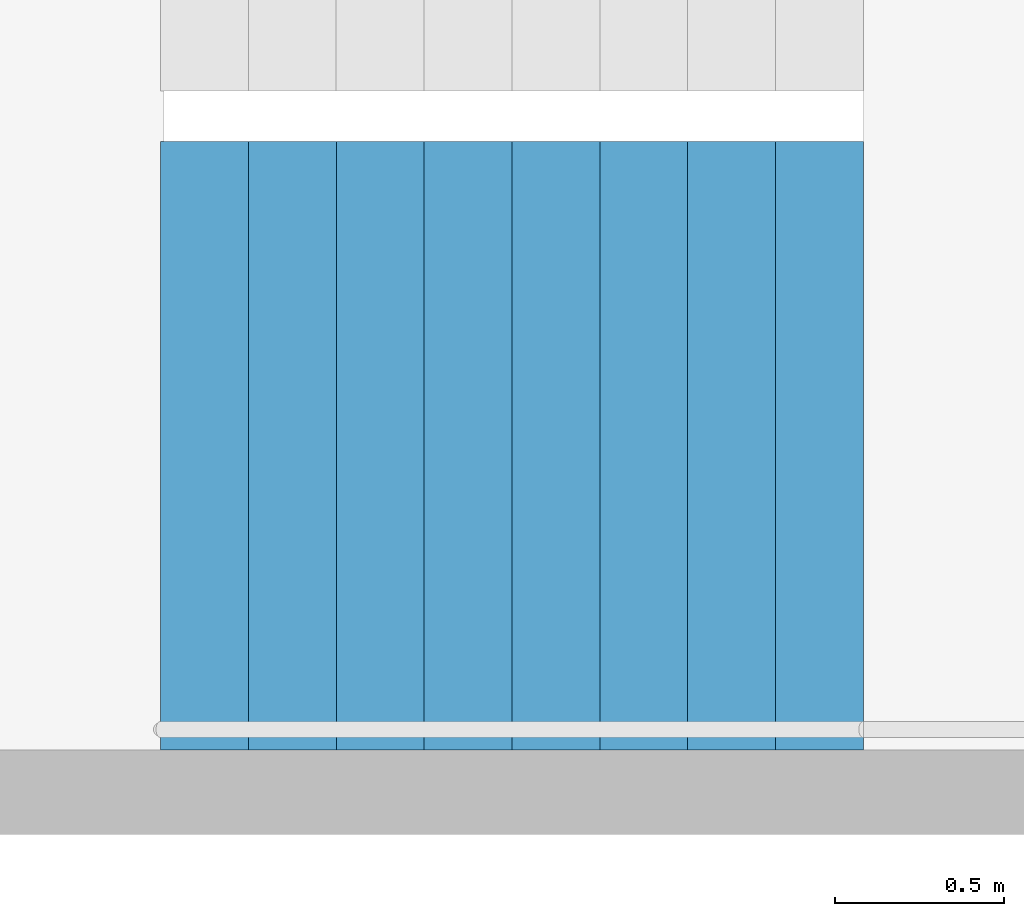
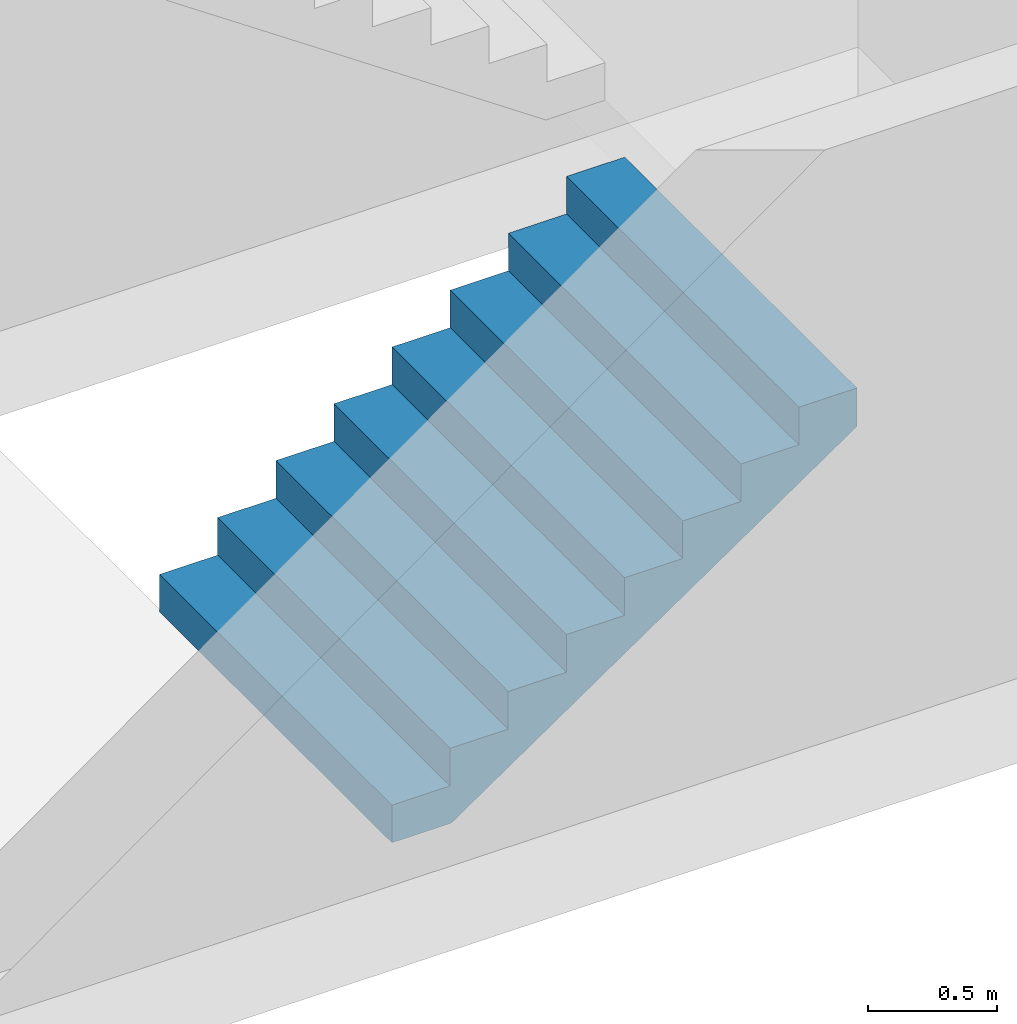
# One storey, part 23 of 29: 1 stair flight, 1 element without a shape of its own.
"""IFC4 building model written with IfcOpenShell, lengths in metres."""

from ifc_helpers import new_model, si_unit, direction, frame, origin, place, context, subcontext, project, spatial, triangles, material, type_object, element, aggregate, save


model = new_model("IFC4")

# Units and contexts
model_context = context("Model", 3, precision=1e-05, world=origin(), true_north=direction((0.0, 1.0)))
body_context = subcontext(model_context, "Body", "Model", "MODEL_VIEW")
ifc_project = project(units=[si_unit("LENGTHUNIT", "METRE"), si_unit("AREAUNIT", "SQUARE_METRE"), si_unit("VOLUMEUNIT", "CUBIC_METRE"), si_unit("PLANEANGLEUNIT", "RADIAN"), si_unit("MASSUNIT", "GRAM", prefix="KILO")], contexts=[model_context])

# Site, building, storey
site_placement = place(None, origin())
site = spatial("IfcSite", under=ifc_project, at=site_placement, CompositionType="ELEMENT")
building_placement = place(site_placement, origin())
building = spatial("IfcBuilding", under=site, at=building_placement, Name="Hakoniwa Tower and Hamabe Station Hall", CompositionType="ELEMENT")
storey_placement = place(building_placement, frame((0.0, 0.0, 97.800048828125)))
storey = spatial("IfcBuildingStorey", under=building, at=storey_placement, Name="L27", CompositionType="ELEMENT", Elevation=97.800048828125)

# Stair, stair flight
ifc_material_1 = material(Name="Concrete C40", Category="concrete")
stair_type = type_object("IfcStairType", Name="ESCAPE STAIR 1800", PredefinedType="HALF_TURN_STAIR", material=ifc_material_1)
stair_placement = place(storey_placement, origin())
stair = element("IfcStair", 1, at=stair_placement, inside=storey, type_object=stair_type, Name="Escape stair ST-1 L27", PredefinedType="HALF_TURN_STAIR")
ifc_material_2 = material(Name="Concrete C40", Category="concrete")
stair_flight_type = type_object("IfcStairFlightType", Name="STAIR FLIGHT 1800", PredefinedType="STRAIGHT", material=ifc_material_2)
stair_flight_placement = place(storey_placement, frame((-24.39990234375, 4.64990234375, 0.0), z_axis=(0.0, 0.0, 1.0), x_axis=(1.0, 0.0, 0.0)))
stair_flight = element("IfcStairFlight", 2, at=stair_flight_placement, type_object=stair_flight_type, Name="ST-1 flight 1", NumberOfRisers=9, NumberOfTreads=8, PredefinedType="STRAIGHT", RiserHeight=0.177777778, TreadLength=0.26, context=body_context, shape_type="Tessellation", body=[
    triangles([(0.0, 0.89990234375, 0.0), (0.260009765625, 0.89990234375, 0.0), (0.265625, 0.89990234375, 0.0), (0.52001953125, 0.89990234375, 0.174072265625), (0.780029296875, 0.89990234375, 0.351806640625), (1.0400390625, 0.89990234375, 0.529541015625), (1.300048828125, 0.89990234375, 0.707275390625), (1.56005859375, 0.89990234375, 0.885009765625), (1.820068359375, 0.89990234375, 1.062744140625), (2.080078125, 0.89990234375, 1.24072265625), (2.080078125, 0.89990234375, 1.422119140625), (1.820068359375, 0.89990234375, 1.422119140625), (1.820068359375, 0.89990234375, 1.244384765625), (1.56005859375, 0.89990234375, 1.244384765625), (1.56005859375, 0.89990234375, 1.066650390625), (1.300048828125, 0.89990234375, 1.066650390625), (1.300048828125, 0.89990234375, 0.888916015625), (1.0400390625, 0.89990234375, 0.888916015625), (1.0400390625, 0.89990234375, 0.711181640625), (0.780029296875, 0.89990234375, 0.711181640625), (0.780029296875, 0.89990234375, 0.533447265625), (0.52001953125, 0.89990234375, 0.533447265625), (0.52001953125, 0.89990234375, 0.35546875), (0.265625, 0.89990234375, 0.35546875), (0.260009765625, 0.89990234375, 0.35546875), (0.260009765625, 0.89990234375, 0.177734375), (0.0, 0.89990234375, 0.177734375), (0.0, 0.06005859375, 0.0), (0.260009765625, 0.06005859375, 0.0), (0.265625, 0.06005859375, 0.0), (0.52001953125, 0.06005859375, 0.174072265625), (0.780029296875, 0.06005859375, 0.351806640625), (1.0400390625, 0.06005859375, 0.529541015625), (1.300048828125, 0.06005859375, 0.707275390625), (1.56005859375, 0.06005859375, 0.885009765625), (1.820068359375, 0.06005859375, 1.062744140625), (2.080078125, 0.06005859375, 1.24072265625), (2.080078125, 0.06005859375, 1.422119140625), (1.820068359375, 0.06005859375, 1.422119140625), (1.820068359375, 0.06005859375, 1.244384765625), (1.56005859375, 0.06005859375, 1.244384765625), (1.56005859375, 0.06005859375, 1.066650390625), (1.300048828125, 0.06005859375, 1.066650390625), (1.300048828125, 0.06005859375, 0.888916015625), (1.0400390625, 0.06005859375, 0.888916015625), (1.0400390625, 0.06005859375, 0.711181640625), (0.780029296875, 0.06005859375, 0.711181640625), (0.780029296875, 0.06005859375, 0.533447265625), (0.52001953125, 0.06005859375, 0.533447265625), (0.52001953125, 0.06005859375, 0.35546875), (0.265625, 0.06005859375, 0.35546875), (0.260009765625, 0.06005859375, 0.35546875), (0.260009765625, 0.06005859375, 0.177734375), (0.0, 0.06005859375, 0.177734375), (0.0, 0.04296875, 0.0), (0.260009765625, 0.04296875, 0.0), (0.265625, 0.04296875, 0.0), (0.52001953125, 0.04296875, 0.174072265625), (0.780029296875, 0.04296875, 0.351806640625), (1.0400390625, 0.04296875, 0.529541015625), (1.300048828125, 0.04296875, 0.707275390625), (1.56005859375, 0.04296875, 0.885009765625), (1.820068359375, 0.04296875, 1.062744140625), (2.080078125, 0.04296875, 1.24072265625), (2.080078125, 0.04296875, 1.422119140625), (1.820068359375, 0.04296875, 1.422119140625), (1.820068359375, 0.04296875, 1.244384765625), (1.56005859375, 0.04296875, 1.244384765625), (1.56005859375, 0.04296875, 1.066650390625), (1.300048828125, 0.04296875, 1.066650390625), (1.300048828125, 0.04296875, 0.888916015625), (1.0400390625, 0.04296875, 0.888916015625), (1.0400390625, 0.04296875, 0.711181640625), (0.780029296875, 0.04296875, 0.711181640625), (0.780029296875, 0.04296875, 0.533447265625), (0.52001953125, 0.04296875, 0.533447265625), (0.52001953125, 0.04296875, 0.35546875), (0.265625, 0.04296875, 0.35546875), (0.260009765625, 0.04296875, 0.35546875), (0.260009765625, 0.04296875, 0.177734375), (0.0, 0.04296875, 0.177734375), (0.0, 0.025634765625, 0.0), (0.260009765625, 0.025634765625, 0.0), (0.265625, 0.025634765625, 0.0), (0.52001953125, 0.025634765625, 0.174072265625), (0.780029296875, 0.025634765625, 0.351806640625), (1.0400390625, 0.025634765625, 0.529541015625), (1.300048828125, 0.025634765625, 0.707275390625), (1.56005859375, 0.025634765625, 0.885009765625), (1.820068359375, 0.025634765625, 1.062744140625), (2.080078125, 0.025634765625, 1.24072265625), (2.080078125, 0.025634765625, 1.422119140625), (1.820068359375, 0.025634765625, 1.422119140625), (1.820068359375, 0.025634765625, 1.244384765625), (1.56005859375, 0.025634765625, 1.244384765625), (1.56005859375, 0.025634765625, 1.066650390625), (1.300048828125, 0.025634765625, 1.066650390625), (1.300048828125, 0.025634765625, 0.888916015625), (1.0400390625, 0.025634765625, 0.888916015625), (1.0400390625, 0.025634765625, 0.711181640625), (0.780029296875, 0.025634765625, 0.711181640625), (0.780029296875, 0.025634765625, 0.533447265625), (0.52001953125, 0.025634765625, 0.533447265625), (0.52001953125, 0.025634765625, 0.35546875), (0.265625, 0.025634765625, 0.35546875), (0.260009765625, 0.025634765625, 0.35546875), (0.260009765625, 0.025634765625, 0.177734375), (0.0, 0.025634765625, 0.177734375), (0.0, 0.008544921875, 0.0), (0.260009765625, 0.008544921875, 0.0), (0.265625, 0.008544921875, 0.0), (0.52001953125, 0.008544921875, 0.174072265625), (0.780029296875, 0.008544921875, 0.351806640625), (1.0400390625, 0.008544921875, 0.529541015625), (1.300048828125, 0.008544921875, 0.707275390625), (1.56005859375, 0.008544921875, 0.885009765625), (1.820068359375, 0.008544921875, 1.062744140625), (2.080078125, 0.008544921875, 1.24072265625), (2.080078125, 0.008544921875, 1.422119140625), (1.820068359375, 0.008544921875, 1.422119140625), (1.820068359375, 0.008544921875, 1.244384765625), (1.56005859375, 0.008544921875, 1.244384765625), (1.56005859375, 0.008544921875, 1.066650390625), (1.300048828125, 0.008544921875, 1.066650390625), (1.300048828125, 0.008544921875, 0.888916015625), (1.0400390625, 0.008544921875, 0.888916015625), (1.0400390625, 0.008544921875, 0.711181640625), (0.780029296875, 0.008544921875, 0.711181640625), (0.780029296875, 0.008544921875, 0.533447265625), (0.52001953125, 0.008544921875, 0.533447265625), (0.52001953125, 0.008544921875, 0.35546875), (0.265625, 0.008544921875, 0.35546875), (0.260009765625, 0.008544921875, 0.35546875), (0.260009765625, 0.008544921875, 0.177734375), (0.0, 0.008544921875, 0.177734375), (0.0, -0.008544921875, 0.0), (0.260009765625, -0.008544921875, 0.0), (0.265625, -0.008544921875, 0.0), (0.52001953125, -0.008544921875, 0.174072265625), (0.780029296875, -0.008544921875, 0.351806640625), (1.0400390625, -0.008544921875, 0.529541015625), (1.300048828125, -0.008544921875, 0.707275390625), (1.56005859375, -0.008544921875, 0.885009765625), (1.820068359375, -0.008544921875, 1.062744140625), (2.080078125, -0.008544921875, 1.24072265625), (2.080078125, -0.008544921875, 1.422119140625), (1.820068359375, -0.008544921875, 1.422119140625), (1.820068359375, -0.008544921875, 1.244384765625), (1.56005859375, -0.008544921875, 1.244384765625), (1.56005859375, -0.008544921875, 1.066650390625), (1.300048828125, -0.008544921875, 1.066650390625), (1.300048828125, -0.008544921875, 0.888916015625), (1.0400390625, -0.008544921875, 0.888916015625), (1.0400390625, -0.008544921875, 0.711181640625), (0.780029296875, -0.008544921875, 0.711181640625), (0.780029296875, -0.008544921875, 0.533447265625), (0.52001953125, -0.008544921875, 0.533447265625), (0.52001953125, -0.008544921875, 0.35546875), (0.265625, -0.008544921875, 0.35546875), (0.260009765625, -0.008544921875, 0.35546875), (0.260009765625, -0.008544921875, 0.177734375), (0.0, -0.008544921875, 0.177734375), (0.0, -0.025634765625, 0.0), (0.260009765625, -0.025634765625, 0.0), (0.265625, -0.025634765625, 0.0), (0.52001953125, -0.025634765625, 0.174072265625), (0.780029296875, -0.025634765625, 0.351806640625), (1.0400390625, -0.025634765625, 0.529541015625), (1.300048828125, -0.025634765625, 0.707275390625), (1.56005859375, -0.025634765625, 0.885009765625), (1.820068359375, -0.025634765625, 1.062744140625), (2.080078125, -0.025634765625, 1.24072265625), (2.080078125, -0.025634765625, 1.422119140625), (1.820068359375, -0.025634765625, 1.422119140625), (1.820068359375, -0.025634765625, 1.244384765625), (1.56005859375, -0.025634765625, 1.244384765625), (1.56005859375, -0.025634765625, 1.066650390625), (1.300048828125, -0.025634765625, 1.066650390625), (1.300048828125, -0.025634765625, 0.888916015625), (1.0400390625, -0.025634765625, 0.888916015625), (1.0400390625, -0.025634765625, 0.711181640625), (0.780029296875, -0.025634765625, 0.711181640625), (0.780029296875, -0.025634765625, 0.533447265625), (0.52001953125, -0.025634765625, 0.533447265625), (0.52001953125, -0.025634765625, 0.35546875), (0.265625, -0.025634765625, 0.35546875), (0.260009765625, -0.025634765625, 0.35546875), (0.260009765625, -0.025634765625, 0.177734375), (0.0, -0.025634765625, 0.177734375), (0.0, -0.04296875, 0.0), (0.260009765625, -0.04296875, 0.0), (0.265625, -0.04296875, 0.0), (0.52001953125, -0.04296875, 0.174072265625), (0.780029296875, -0.04296875, 0.351806640625), (1.0400390625, -0.04296875, 0.529541015625), (1.300048828125, -0.04296875, 0.707275390625), (1.56005859375, -0.04296875, 0.885009765625), (1.820068359375, -0.04296875, 1.062744140625), (2.080078125, -0.04296875, 1.24072265625), (2.080078125, -0.04296875, 1.422119140625), (1.820068359375, -0.04296875, 1.422119140625), (1.820068359375, -0.04296875, 1.244384765625), (1.56005859375, -0.04296875, 1.244384765625), (1.56005859375, -0.04296875, 1.066650390625), (1.300048828125, -0.04296875, 1.066650390625), (1.300048828125, -0.04296875, 0.888916015625), (1.0400390625, -0.04296875, 0.888916015625), (1.0400390625, -0.04296875, 0.711181640625), (0.780029296875, -0.04296875, 0.711181640625), (0.780029296875, -0.04296875, 0.533447265625), (0.52001953125, -0.04296875, 0.533447265625), (0.52001953125, -0.04296875, 0.35546875), (0.265625, -0.04296875, 0.35546875), (0.260009765625, -0.04296875, 0.35546875), (0.260009765625, -0.04296875, 0.177734375), (0.0, -0.04296875, 0.177734375), (0.0, -0.06005859375, 0.0), (0.260009765625, -0.06005859375, 0.0), (0.265625, -0.06005859375, 0.0), (0.52001953125, -0.06005859375, 0.174072265625), (0.780029296875, -0.06005859375, 0.351806640625), (1.0400390625, -0.06005859375, 0.529541015625), (1.300048828125, -0.06005859375, 0.707275390625), (1.56005859375, -0.06005859375, 0.885009765625), (1.820068359375, -0.06005859375, 1.062744140625), (2.080078125, -0.06005859375, 1.24072265625), (2.080078125, -0.06005859375, 1.422119140625), (1.820068359375, -0.06005859375, 1.422119140625), (1.820068359375, -0.06005859375, 1.244384765625), (1.56005859375, -0.06005859375, 1.244384765625), (1.56005859375, -0.06005859375, 1.066650390625), (1.300048828125, -0.06005859375, 1.066650390625), (1.300048828125, -0.06005859375, 0.888916015625), (1.0400390625, -0.06005859375, 0.888916015625), (1.0400390625, -0.06005859375, 0.711181640625), (0.780029296875, -0.06005859375, 0.711181640625), (0.780029296875, -0.06005859375, 0.533447265625), (0.52001953125, -0.06005859375, 0.533447265625), (0.52001953125, -0.06005859375, 0.35546875), (0.265625, -0.06005859375, 0.35546875), (0.260009765625, -0.06005859375, 0.35546875), (0.260009765625, -0.06005859375, 0.177734375), (0.0, -0.06005859375, 0.177734375), (0.0, -0.89990234375, 0.0), (0.260009765625, -0.89990234375, 0.0), (0.265625, -0.89990234375, 0.0), (0.52001953125, -0.89990234375, 0.174072265625), (0.780029296875, -0.89990234375, 0.351806640625), (1.0400390625, -0.89990234375, 0.529541015625), (1.300048828125, -0.89990234375, 0.707275390625), (1.56005859375, -0.89990234375, 0.885009765625), (1.820068359375, -0.89990234375, 1.062744140625), (2.080078125, -0.89990234375, 1.24072265625), (2.080078125, -0.89990234375, 1.422119140625), (1.820068359375, -0.89990234375, 1.422119140625), (1.820068359375, -0.89990234375, 1.244384765625), (1.56005859375, -0.89990234375, 1.244384765625), (1.56005859375, -0.89990234375, 1.066650390625), (1.300048828125, -0.89990234375, 1.066650390625), (1.300048828125, -0.89990234375, 0.888916015625), (1.0400390625, -0.89990234375, 0.888916015625), (1.0400390625, -0.89990234375, 0.711181640625), (0.780029296875, -0.89990234375, 0.711181640625), (0.780029296875, -0.89990234375, 0.533447265625), (0.52001953125, -0.89990234375, 0.533447265625), (0.52001953125, -0.89990234375, 0.35546875), (0.265625, -0.89990234375, 0.35546875), (0.260009765625, -0.89990234375, 0.35546875), (0.260009765625, -0.89990234375, 0.177734375), (0.0, -0.89990234375, 0.177734375)], [[2, 27, 26], [245, 269, 270], [2, 1, 27], [245, 270, 244], [3, 25, 24], [246, 267, 268], [3, 26, 25], [246, 268, 269], [3, 2, 26], [246, 269, 245], [4, 24, 23], [247, 266, 267], [4, 3, 24], [247, 267, 246], [5, 22, 21], [248, 264, 265], [5, 23, 22], [248, 265, 266], [5, 4, 23], [248, 266, 247], [6, 20, 19], [249, 262, 263], [6, 21, 20], [249, 263, 264], [6, 5, 21], [249, 264, 248], [7, 18, 17], [250, 260, 261], [7, 19, 18], [250, 261, 262], [7, 6, 19], [250, 262, 249], [8, 16, 15], [251, 258, 259], [8, 17, 16], [251, 259, 260], [8, 7, 17], [251, 260, 250], [9, 14, 13], [252, 256, 257], [9, 15, 14], [252, 257, 258], [9, 8, 15], [252, 258, 251], [10, 12, 11], [253, 254, 255], [10, 13, 12], [253, 255, 256], [10, 9, 13], [253, 256, 252], [1, 2, 29], [1, 29, 28], [28, 29, 56], [28, 56, 55], [55, 56, 83], [55, 83, 82], [82, 83, 110], [82, 110, 109], [109, 110, 137], [109, 137, 136], [136, 137, 164], [136, 164, 163], [163, 164, 191], [163, 191, 190], [190, 191, 218], [190, 218, 217], [217, 218, 245], [217, 245, 244], [2, 3, 30], [2, 30, 29], [29, 30, 57], [29, 57, 56], [56, 57, 84], [56, 84, 83], [83, 84, 111], [83, 111, 110], [110, 111, 138], [110, 138, 137], [137, 138, 165], [137, 165, 164], [164, 165, 192], [164, 192, 191], [191, 192, 219], [191, 219, 218], [218, 219, 246], [218, 246, 245], [3, 4, 31], [3, 31, 30], [30, 31, 58], [30, 58, 57], [57, 58, 85], [57, 85, 84], [84, 85, 112], [84, 112, 111], [111, 112, 139], [111, 139, 138], [138, 139, 166], [138, 166, 165], [165, 166, 193], [165, 193, 192], [192, 193, 220], [192, 220, 219], [219, 220, 247], [219, 247, 246], [4, 5, 32], [4, 32, 31], [31, 32, 59], [31, 59, 58], [58, 59, 86], [58, 86, 85], [85, 86, 113], [85, 113, 112], [112, 113, 140], [112, 140, 139], [139, 140, 167], [139, 167, 166], [166, 167, 194], [166, 194, 193], [193, 194, 221], [193, 221, 220], [220, 221, 248], [220, 248, 247], [5, 6, 33], [5, 33, 32], [32, 33, 60], [32, 60, 59], [59, 60, 87], [59, 87, 86], [86, 87, 114], [86, 114, 113], [113, 114, 141], [113, 141, 140], [140, 141, 168], [140, 168, 167], [167, 168, 195], [167, 195, 194], [194, 195, 222], [194, 222, 221], [221, 222, 249], [221, 249, 248], [6, 7, 34], [6, 34, 33], [33, 34, 61], [33, 61, 60], [60, 61, 88], [60, 88, 87], [87, 88, 115], [87, 115, 114], [114, 115, 142], [114, 142, 141], [141, 142, 169], [141, 169, 168], [168, 169, 196], [168, 196, 195], [195, 196, 223], [195, 223, 222], [222, 223, 250], [222, 250, 249], [7, 8, 35], [7, 35, 34], [34, 35, 62], [34, 62, 61], [61, 62, 89], [61, 89, 88], [88, 89, 116], [88, 116, 115], [115, 116, 143], [115, 143, 142], [142, 143, 170], [142, 170, 169], [169, 170, 197], [169, 197, 196], [196, 197, 224], [196, 224, 223], [223, 224, 251], [223, 251, 250], [8, 9, 36], [8, 36, 35], [35, 36, 63], [35, 63, 62], [62, 63, 90], [62, 90, 89], [89, 90, 117], [89, 117, 116], [116, 117, 144], [116, 144, 143], [143, 144, 171], [143, 171, 170], [170, 171, 198], [170, 198, 197], [197, 198, 225], [197, 225, 224], [224, 225, 252], [224, 252, 251], [9, 10, 37], [9, 37, 36], [36, 37, 64], [36, 64, 63], [63, 64, 91], [63, 91, 90], [90, 91, 118], [90, 118, 117], [117, 118, 145], [117, 145, 144], [144, 145, 172], [144, 172, 171], [171, 172, 199], [171, 199, 198], [198, 199, 226], [198, 226, 225], [225, 226, 253], [225, 253, 252], [10, 11, 38], [10, 38, 37], [37, 38, 65], [37, 65, 64], [64, 65, 92], [64, 92, 91], [91, 92, 119], [91, 119, 118], [118, 119, 146], [118, 146, 145], [145, 146, 173], [145, 173, 172], [172, 173, 200], [172, 200, 199], [199, 200, 227], [199, 227, 226], [226, 227, 254], [226, 254, 253], [11, 12, 39], [11, 39, 38], [38, 39, 66], [38, 66, 65], [65, 66, 93], [65, 93, 92], [92, 93, 120], [92, 120, 119], [119, 120, 147], [119, 147, 146], [146, 147, 174], [146, 174, 173], [173, 174, 201], [173, 201, 200], [200, 201, 228], [200, 228, 227], [227, 228, 255], [227, 255, 254], [12, 13, 40], [12, 40, 39], [39, 40, 67], [39, 67, 66], [66, 67, 94], [66, 94, 93], [93, 94, 121], [93, 121, 120], [120, 121, 148], [120, 148, 147], [147, 148, 175], [147, 175, 174], [174, 175, 202], [174, 202, 201], [201, 202, 229], [201, 229, 228], [228, 229, 256], [228, 256, 255], [13, 14, 41], [13, 41, 40], [40, 41, 68], [40, 68, 67], [67, 68, 95], [67, 95, 94], [94, 95, 122], [94, 122, 121], [121, 122, 149], [121, 149, 148], [148, 149, 176], [148, 176, 175], [175, 176, 203], [175, 203, 202], [202, 203, 230], [202, 230, 229], [229, 230, 257], [229, 257, 256], [14, 15, 42], [14, 42, 41], [41, 42, 69], [41, 69, 68], [68, 69, 96], [68, 96, 95], [95, 96, 123], [95, 123, 122], [122, 123, 150], [122, 150, 149], [149, 150, 177], [149, 177, 176], [176, 177, 204], [176, 204, 203], [203, 204, 231], [203, 231, 230], [230, 231, 258], [230, 258, 257], [15, 16, 43], [15, 43, 42], [42, 43, 70], [42, 70, 69], [69, 70, 97], [69, 97, 96], [96, 97, 124], [96, 124, 123], [123, 124, 151], [123, 151, 150], [150, 151, 178], [150, 178, 177], [177, 178, 205], [177, 205, 204], [204, 205, 232], [204, 232, 231], [231, 232, 259], [231, 259, 258], [16, 17, 44], [16, 44, 43], [43, 44, 71], [43, 71, 70], [70, 71, 98], [70, 98, 97], [97, 98, 125], [97, 125, 124], [124, 125, 152], [124, 152, 151], [151, 152, 179], [151, 179, 178], [178, 179, 206], [178, 206, 205], [205, 206, 233], [205, 233, 232], [232, 233, 260], [232, 260, 259], [17, 18, 45], [17, 45, 44], [44, 45, 72], [44, 72, 71], [71, 72, 99], [71, 99, 98], [98, 99, 126], [98, 126, 125], [125, 126, 153], [125, 153, 152], [152, 153, 180], [152, 180, 179], [179, 180, 207], [179, 207, 206], [206, 207, 234], [206, 234, 233], [233, 234, 261], [233, 261, 260], [18, 19, 46], [18, 46, 45], [45, 46, 73], [45, 73, 72], [72, 73, 100], [72, 100, 99], [99, 100, 127], [99, 127, 126], [126, 127, 154], [126, 154, 153], [153, 154, 181], [153, 181, 180], [180, 181, 208], [180, 208, 207], [207, 208, 235], [207, 235, 234], [234, 235, 262], [234, 262, 261], [19, 20, 47], [19, 47, 46], [46, 47, 74], [46, 74, 73], [73, 74, 101], [73, 101, 100], [100, 101, 128], [100, 128, 127], [127, 128, 155], [127, 155, 154], [154, 155, 182], [154, 182, 181], [181, 182, 209], [181, 209, 208], [208, 209, 236], [208, 236, 235], [235, 236, 263], [235, 263, 262], [20, 21, 48], [20, 48, 47], [47, 48, 75], [47, 75, 74], [74, 75, 102], [74, 102, 101], [101, 102, 129], [101, 129, 128], [128, 129, 156], [128, 156, 155], [155, 156, 183], [155, 183, 182], [182, 183, 210], [182, 210, 209], [209, 210, 237], [209, 237, 236], [236, 237, 264], [236, 264, 263], [21, 22, 49], [21, 49, 48], [48, 49, 76], [48, 76, 75], [75, 76, 103], [75, 103, 102], [102, 103, 130], [102, 130, 129], [129, 130, 157], [129, 157, 156], [156, 157, 184], [156, 184, 183], [183, 184, 211], [183, 211, 210], [210, 211, 238], [210, 238, 237], [237, 238, 265], [237, 265, 264], [22, 23, 50], [22, 50, 49], [49, 50, 77], [49, 77, 76], [76, 77, 104], [76, 104, 103], [103, 104, 131], [103, 131, 130], [130, 131, 158], [130, 158, 157], [157, 158, 185], [157, 185, 184], [184, 185, 212], [184, 212, 211], [211, 212, 239], [211, 239, 238], [238, 239, 266], [238, 266, 265], [23, 24, 51], [23, 51, 50], [50, 51, 78], [50, 78, 77], [77, 78, 105], [77, 105, 104], [104, 105, 132], [104, 132, 131], [131, 132, 159], [131, 159, 158], [158, 159, 186], [158, 186, 185], [185, 186, 213], [185, 213, 212], [212, 213, 240], [212, 240, 239], [239, 240, 267], [239, 267, 266], [24, 25, 52], [24, 52, 51], [51, 52, 79], [51, 79, 78], [78, 79, 106], [78, 106, 105], [105, 106, 133], [105, 133, 132], [132, 133, 160], [132, 160, 159], [159, 160, 187], [159, 187, 186], [186, 187, 214], [186, 214, 213], [213, 214, 241], [213, 241, 240], [240, 241, 268], [240, 268, 267], [25, 26, 53], [25, 53, 52], [52, 53, 80], [52, 80, 79], [79, 80, 107], [79, 107, 106], [106, 107, 134], [106, 134, 133], [133, 134, 161], [133, 161, 160], [160, 161, 188], [160, 188, 187], [187, 188, 215], [187, 215, 214], [214, 215, 242], [214, 242, 241], [241, 242, 269], [241, 269, 268], [26, 27, 54], [26, 54, 53], [53, 54, 81], [53, 81, 80], [80, 81, 108], [80, 108, 107], [107, 108, 135], [107, 135, 134], [134, 135, 162], [134, 162, 161], [161, 162, 189], [161, 189, 188], [188, 189, 216], [188, 216, 215], [215, 216, 243], [215, 243, 242], [242, 243, 270], [242, 270, 269], [27, 1, 28], [27, 28, 54], [54, 28, 55], [54, 55, 81], [81, 55, 82], [81, 82, 108], [108, 82, 109], [108, 109, 135], [135, 109, 136], [135, 136, 162], [162, 136, 163], [162, 163, 189], [189, 163, 190], [189, 190, 216], [216, 190, 217], [216, 217, 243], [243, 217, 244], [243, 244, 270]], closed=True),
])
aggregate(stair, [stair_flight])

save(model, "model.ifc")
